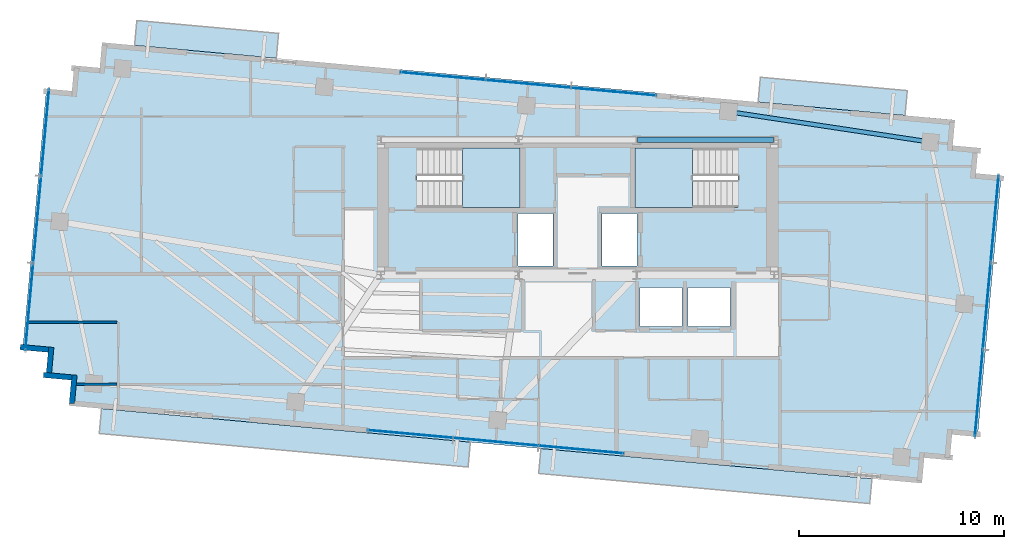
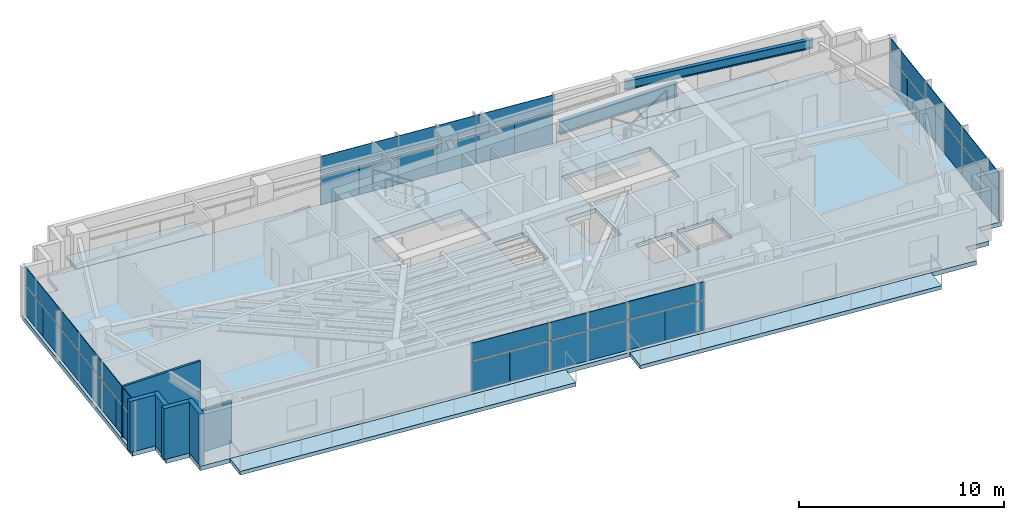
# One storey, part 15 of 22: 36 plates, 7 slabs, 6 walls, 2 beams, 6 elements without a shape of their own.
"""IFC4 building model written with IfcOpenShell, lengths in metres."""

from ifc_helpers import new_model, si_unit, direction, frame, frame_2d, origin, origin_2d, place, context, subcontext, project, spatial, polyline, rectangle, i_section, outline, extrude, source, transform, mapped, material, layer, layer_set, material_profile, profile_set, type_object, type_shapes, element, aggregate, save


model = new_model("IFC4")

# Units and contexts
model_context = context("Model", 3, precision=1e-05, world=origin(), true_north=direction((0.0, 1.0)))
body_context = subcontext(model_context, "Body", "Model", "MODEL_VIEW")
ifc_project = project(units=[si_unit("LENGTHUNIT", "METRE"), si_unit("AREAUNIT", "SQUARE_METRE"), si_unit("VOLUMEUNIT", "CUBIC_METRE"), si_unit("PLANEANGLEUNIT", "RADIAN"), si_unit("MASSUNIT", "GRAM", prefix="KILO")], contexts=[model_context])

# Site, building, storey
site_placement = place(None, origin())
site = spatial("IfcSite", under=ifc_project, at=site_placement, CompositionType="ELEMENT")
building_placement = place(site_placement, origin())
building = spatial("IfcBuilding", under=site, at=building_placement, Name="Astriad Promenade Condominiums", CompositionType="ELEMENT")
storey_placement = place(building_placement, frame((0.0, 0.0, 226.5)))
storey = spatial("IfcBuildingStorey", under=building, at=storey_placement, Name="L65", CompositionType="ELEMENT", Elevation=226.5)

# Beams
ifc_material_1 = material(Name="Steel ASTM A992 Grade 50", Category="steel")
ifc_material_profile_1 = material_profile(ifc_material_1, i_section(OverallWidth=0.267822265625, OverallDepth=0.76953125, WebThickness=0.015625, FlangeThickness=0.025390625, FilletRadius=0.021484375, at=origin_2d()), Name="W30X132")
ifc_profile_set_1 = profile_set([ifc_material_profile_1], Name="Steel ASTM A992 Grade 50")
beam_type_1 = type_object("IfcBeamType", Name="STEEL FLOOR GIRDER W30X132", PredefinedType="BEAM", material=ifc_profile_set_1)
shared_shape_1 = source(origin(), body_context, "Body", "SweptSolid", [
    extrude(i_section(OverallWidth=0.267822265625, OverallDepth=0.76953125, WebThickness=0.015625, FlangeThickness=0.025390625, FilletRadius=0.021484375, at=origin_2d()), origin(), (0.0, 0.0, 1.0), 6.64013671875),
])
type_shapes(beam_type_1, [shared_shape_1])
beam_1_placement = place(storey_placement, frame((38.919921875, 24.0, 2.6552734375), z_axis=(1.0, 0.0, 0.0), x_axis=(0.0, 1.0, 0.0)))
element("IfcBeam", 1, at=beam_1_placement, inside=storey, type_object=beam_type_1, Name="Core Ring Beam CG-N3-L65", PredefinedType="BEAM", context=body_context, shape_type="MappedRepresentation", body=[
    mapped(shared_shape_1, transform((0.0, 0.0, 0.0), scale=1.0)),
])
ifc_material_profile_2 = material_profile(ifc_material_1, i_section(OverallWidth=0.210693359375, OverallDepth=0.53955078125, WebThickness=0.01171875, FlangeThickness=0.018798828125, FilletRadius=0.0166015625, at=origin_2d()), Name="W21X73")
ifc_profile_set_2 = profile_set([ifc_material_profile_2], Name="Steel ASTM A992 Grade 50")
beam_type_2 = type_object("IfcBeamType", Name="STEEL SPANDREL BEAM W21X73", PredefinedType="SPANDREL", material=ifc_profile_set_2)
shared_shape_2 = source(origin(), body_context, "Body", "SweptSolid", [
    extrude(i_section(OverallWidth=0.210693359375, OverallDepth=0.53955078125, WebThickness=0.01171875, FlangeThickness=0.018798828125, FilletRadius=0.0166015625, at=origin_2d()), origin(), (0.0, 0.0, 1.0), 9.890869140625),
])
type_shapes(beam_type_2, [shared_shape_2])
beam_2_placement = place(storey_placement, frame((53.1787109375, 23.899658203125, 2.770263671875), z_axis=(-0.988827455442, 0.149064628143, 0.0), x_axis=(-0.149064628143, -0.988827455442, 0.0)))
element("IfcBeam", 2, at=beam_2_placement, inside=storey, type_object=beam_type_2, Name="Perimeter Spandrel Beam SP-N4-L65", PredefinedType="SPANDREL", context=body_context, shape_type="MappedRepresentation", body=[
    mapped(shared_shape_2, transform((0.0, 0.0, 0.0), scale=1.0)),
])

# Slab
ifc_material_2 = material(Name="Concrete C50/60", Category="concrete")
ifc_layer_1 = layer(ifc_material_2, 0.260009765625)
ifc_layer_set_1 = layer_set([ifc_layer_1], Name="Concrete C50/60")
slab_type_1 = type_object("IfcSlabType", Name="CONCRETE TOWER FLOOR SLAB 260", PredefinedType="FLOOR", material=ifc_layer_set_1)
slab_1_placement = place(storey_placement, frame((0.0, 0.0, -0.260009765625)))
element("IfcSlab", 3, at=slab_1_placement, inside=storey, type_object=slab_type_1, Name="Structural Floor Slab (L65)", PredefinedType="FLOOR", context=body_context, shape_type="SweptSolid", body=[
    extrude(outline(polyline([(11.179443359375, 11.03076171875), (52.807373046875, 7.242431640625), (52.920654296875, 8.4873046875), (54.16552734375, 8.3740234375), (54.27880859375, 9.618896484375), (55.523681640625, 9.505615234375), (56.68359375, 22.2529296875), (55.43896484375, 22.3662109375), (55.55224609375, 23.611083984375), (54.307373046875, 23.724365234375), (54.420654296875, 24.96923828125), (12.79248046875, 28.757568359375), (12.679443359375, 27.5126953125), (11.4345703125, 27.6259765625), (11.3212890625, 26.381103515625), (10.076416015625, 26.494384765625), (8.916259765625, 13.7470703125), (10.1611328125, 13.6337890625), (10.0478515625, 12.388916015625), (11.292724609375, 12.275634765625), (11.179443359375, 11.03076171875)]), holes=[polyline([(28.175048828125, 20.699951171875), (33.175048828125, 20.699951171875), (33.175048828125, 23.60009765625), (28.175048828125, 23.60009765625), (28.175048828125, 20.699951171875)]), polyline([(38.824951171875, 20.699951171875), (43.824951171875, 20.699951171875), (43.824951171875, 23.60009765625), (38.824951171875, 23.60009765625), (38.824951171875, 20.699951171875)]), polyline([(33.10009765625, 17.85009765625), (34.800048828125, 17.85009765625), (34.800048828125, 20.39990234375), (33.10009765625, 20.39990234375), (33.10009765625, 17.85009765625)]), polyline([(37.199951171875, 17.85009765625), (38.89990234375, 17.85009765625), (38.89990234375, 20.39990234375), (37.199951171875, 20.39990234375), (37.199951171875, 17.85009765625)]), polyline([(39.050048828125, 14.89990234375), (41.10009765625, 14.89990234375), (41.10009765625, 16.800048828125), (39.050048828125, 16.800048828125), (39.050048828125, 14.89990234375)]), polyline([(41.39990234375, 14.89990234375), (43.449951171875, 14.89990234375), (43.449951171875, 16.800048828125), (41.39990234375, 16.800048828125), (41.39990234375, 14.89990234375)])]), origin(), (0.0, 0.0, 1.0), 0.260009765625),
])

# Stair, slab
stair_type = type_object("IfcStairType", Name="STR-CORE-1350", PredefinedType="HALF_TURN_STAIR", material=ifc_material_2)
stair_1_placement = place(storey_placement, origin())
stair_1 = element("IfcStair", 4, at=stair_1_placement, inside=storey, type_object=stair_type, Name="L65 Enclosed Core Exit Stair ST-1", PredefinedType="HALF_TURN_STAIR")
ifc_layer_2 = layer(ifc_material_2, 0.219970703125)
ifc_layer_set_2 = layer_set([ifc_layer_2], Name="Concrete C50/60")
slab_type_2 = type_object("IfcSlabType", Name="SLB-LANDING-220", PredefinedType="LANDING", material=ifc_layer_set_2)
slab_2_placement = place(storey_placement, frame((0.0, 0.0, 1.449951171875)))
slab_2 = element("IfcSlab", 5, at=slab_2_placement, type_object=slab_type_2, Name="ST-1 landing 1", PredefinedType="LANDING", context=body_context, shape_type="SweptSolid", body=[
    extrude(outline(polyline([(30.389892578125, 20.699951171875), (33.199951171875, 20.699951171875), (33.199951171875, 23.60009765625), (30.389892578125, 23.60009765625), (30.389892578125, 20.699951171875)])), origin(), (0.0, 0.0, 1.0), 0.199951171875),
])
aggregate(stair_1, [slab_2])

stair_2_placement = place(storey_placement, origin())
stair_2 = element("IfcStair", 6, at=stair_2_placement, inside=storey, type_object=stair_type, Name="L65 Enclosed Core Exit Stair ST-2", PredefinedType="HALF_TURN_STAIR")
slab_3_placement = place(storey_placement, frame((0.0, 0.0, 1.449951171875)))
slab_3 = element("IfcSlab", 7, at=slab_3_placement, type_object=slab_type_2, Name="ST-2 landing 1", PredefinedType="LANDING", context=body_context, shape_type="SweptSolid", body=[
    extrude(outline(polyline([(41.610107421875, 23.60009765625), (38.800048828125, 23.60009765625), (38.800048828125, 20.699951171875), (41.610107421875, 20.699951171875), (41.610107421875, 23.60009765625)])), origin(), (0.0, 0.0, 1.0), 0.199951171875),
])
aggregate(stair_2, [slab_3])

# Slabs
ifc_material_3 = material(Name="Precast concrete C50/60", Category="concrete")
ifc_layer_3 = layer(ifc_material_3, 0.219970703125)
ifc_layer_set_3 = layer_set([ifc_layer_3], Name="Precast concrete C50/60")
slab_type_3 = type_object("IfcSlabType", Name="WHITE PRECAST CONCRETE WAVE BALCONY SLAB 220", PredefinedType="FLOOR", material=ifc_layer_set_3)
slab_4_placement = place(storey_placement, frame((0.0, 0.0, -0.219970703125)))
element("IfcSlab", 8, at=slab_4_placement, inside=storey, type_object=slab_type_3, Name="White Precast Wave Balcony Slab BAL-L65-SW", PredefinedType="FLOOR", context=body_context, shape_type="SweptSolid", body=[
    extrude(outline(polyline([(30.656005859375, 8.033203125), (12.6552734375, 9.67138671875), (12.765625, 10.884521484375), (30.76611328125, 9.246337890625), (30.656005859375, 8.033203125)])), origin(), (0.0, 0.0, 1.0), 0.219970703125),
])
slab_5_placement = place(storey_placement, frame((0.0, 0.0, -0.219970703125)))
element("IfcSlab", 9, at=slab_5_placement, inside=storey, type_object=slab_type_3, Name="White Precast Wave Balcony Slab BAL-L65-SE", PredefinedType="FLOOR", context=body_context, shape_type="SweptSolid", body=[
    extrude(outline(polyline([(50.2578125, 6.24951171875), (34.1005859375, 7.7197265625), (34.2109375, 8.932861328125), (50.3681640625, 7.46240234375), (50.2578125, 6.24951171875)])), origin(), (0.0, 0.0, 1.0), 0.219970703125),
])
slab_6_placement = place(storey_placement, frame((0.0, 0.0, -0.219970703125)))
element("IfcSlab", 10, at=slab_6_placement, inside=storey, type_object=slab_type_3, Name="White Precast Wave Balcony Slab BAL-L65-NW", PredefinedType="FLOOR", context=body_context, shape_type="SweptSolid", body=[
    extrude(outline(polyline([(14.48974609375, 29.828125), (21.408203125, 29.198486328125), (21.297607421875, 27.985595703125), (14.37939453125, 28.615234375), (14.48974609375, 29.828125)])), origin(), (0.0, 0.0, 1.0), 0.219970703125),
])
slab_7_placement = place(storey_placement, frame((0.0, 0.0, -0.219970703125)))
element("IfcSlab", 11, at=slab_7_placement, inside=storey, type_object=slab_type_3, Name="White Precast Wave Balcony Slab BAL-L65-NE", PredefinedType="FLOOR", context=body_context, shape_type="SweptSolid", body=[
    extrude(outline(polyline([(44.9208984375, 27.05859375), (52.09228515625, 26.406005859375), (51.98193359375, 25.193115234375), (44.810546875, 25.845703125), (44.9208984375, 27.05859375)])), origin(), (0.0, 0.0, 1.0), 0.219970703125),
])

# Curtain wall, plates
ifc_material_4 = material(Name="Anodised aluminium Black Dark Glass Unitised", Category="aluminium")
curtain_wall_type = type_object("IfcCurtainWallType", Name="CW-B5-DARK", PredefinedType="USERDEFINED", material=ifc_material_4)
curtain_wall_1_placement = place(storey_placement, origin())
curtain_wall_1 = element("IfcCurtainWall", 12, at=curtain_wall_1_placement, inside=storey, type_object=curtain_wall_type, Name="CW-L65-W", ObjectType="UNITISED_CURTAIN_WALL", PredefinedType="USERDEFINED")
ifc_material_5 = material(Name="Dark Tinted Low-E Laminated Glass", Category="glass")
ifc_layer_4 = layer(ifc_material_5, 0.035888671875)
ifc_layer_set_4 = layer_set([ifc_layer_4], Name="Dark Tinted Low-E Laminated Glass")
plate_type = type_object("IfcPlateType", Name="PNL-DARK-GLASS-36", PredefinedType="CURTAIN_PANEL", material=ifc_layer_set_4)
shared_shape_3 = source(origin(), body_context, "Body", "SweptSolid", [
    extrude(rectangle(XDim=2.121337890625, YDim=0.035888671875, at=origin_2d()), origin(), (0.0, 0.0, 1.0), 1.764892578125),
])
plate_1_placement = place(storey_placement, frame((9.142578125, 14.797607421875, 0.080078125), z_axis=(0.0, 0.0, 1.0), x_axis=(0.090632580198, 0.995884398616, 0.0)))
plate_1 = element("IfcPlate", 13, at=plate_1_placement, type_object=plate_type, Name="CW-L65-W-PNL-00-VL", PredefinedType="CURTAIN_PANEL", context=body_context, shape_type="MappedRepresentation", body=[
    mapped(shared_shape_3, transform((0.0, 0.0, 0.0), scale=1.0)),
])
plate_2_placement = place(storey_placement, frame((9.335693359375, 16.922119140625, 0.080078125), z_axis=(0.0, 0.0, 1.0), x_axis=(0.090632580198, 0.995884398616, 0.0)))
plate_2 = element("IfcPlate", 14, at=plate_2_placement, type_object=plate_type, Name="CW-L65-W-PNL-00-VR", PredefinedType="CURTAIN_PANEL", context=body_context, shape_type="MappedRepresentation", body=[
    mapped(shared_shape_3, transform((0.0, 0.0, 0.0), scale=1.0)),
])
plate_3_placement = place(storey_placement, frame((9.529296875, 19.046630859375, 0.080078125), z_axis=(0.0, 0.0, 1.0), x_axis=(0.090632580198, 0.995884398616, 0.0)))
plate_3 = element("IfcPlate", 15, at=plate_3_placement, type_object=plate_type, Name="CW-L65-W-PNL-01-VL", PredefinedType="CURTAIN_PANEL", context=body_context, shape_type="MappedRepresentation", body=[
    mapped(shared_shape_3, transform((0.0, 0.0, 0.0), scale=1.0)),
])
plate_4_placement = place(storey_placement, frame((9.722412109375, 21.17138671875, 0.080078125), z_axis=(0.0, 0.0, 1.0), x_axis=(0.090632580198, 0.995884398616, 0.0)))
plate_4 = element("IfcPlate", 16, at=plate_4_placement, type_object=plate_type, Name="CW-L65-W-PNL-01-VR", PredefinedType="CURTAIN_PANEL", context=body_context, shape_type="MappedRepresentation", body=[
    mapped(shared_shape_3, transform((0.0, 0.0, 0.0), scale=1.0)),
])
plate_5_placement = place(storey_placement, frame((9.916015625, 23.2958984375, 0.080078125), z_axis=(0.0, 0.0, 1.0), x_axis=(0.090632580198, 0.995884398616, 0.0)))
plate_5 = element("IfcPlate", 17, at=plate_5_placement, type_object=plate_type, Name="CW-L65-W-PNL-02-VL", PredefinedType="CURTAIN_PANEL", context=body_context, shape_type="MappedRepresentation", body=[
    mapped(shared_shape_3, transform((0.0, 0.0, 0.0), scale=1.0)),
])
plate_6_placement = place(storey_placement, frame((10.109130859375, 25.42041015625, 0.080078125), z_axis=(0.0, 0.0, 1.0), x_axis=(0.090632580198, 0.995884398616, 0.0)))
plate_6 = element("IfcPlate", 18, at=plate_6_placement, type_object=plate_type, Name="CW-L65-W-PNL-02-VR", PredefinedType="CURTAIN_PANEL", context=body_context, shape_type="MappedRepresentation", body=[
    mapped(shared_shape_3, transform((0.0, 0.0, 0.0), scale=1.0)),
])

curtain_wall_2_placement = place(storey_placement, origin())
curtain_wall_2 = element("IfcCurtainWall", 19, at=curtain_wall_2_placement, inside=storey, type_object=curtain_wall_type, Name="CW-L65-E", ObjectType="UNITISED_CURTAIN_WALL", PredefinedType="USERDEFINED")
plate_7_placement = place(storey_placement, frame((56.45751953125, 21.202392578125, 0.080078125), z_axis=(0.0, 0.0, 1.0), x_axis=(-0.090632580198, -0.995884398616, 0.0)))
plate_7 = element("IfcPlate", 20, at=plate_7_placement, type_object=plate_type, Name="CW-L65-E-PNL-00-VL", PredefinedType="CURTAIN_PANEL", context=body_context, shape_type="MappedRepresentation", body=[
    mapped(shared_shape_3, transform((0.0, 0.0, 0.0), scale=1.0)),
])
plate_8_placement = place(storey_placement, frame((56.26416015625, 19.077880859375, 0.080078125), z_axis=(0.0, 0.0, 1.0), x_axis=(-0.090632580198, -0.995884398616, 0.0)))
plate_8 = element("IfcPlate", 21, at=plate_8_placement, type_object=plate_type, Name="CW-L65-E-PNL-00-VR", PredefinedType="CURTAIN_PANEL", context=body_context, shape_type="MappedRepresentation", body=[
    mapped(shared_shape_3, transform((0.0, 0.0, 0.0), scale=1.0)),
])
plate_9_placement = place(storey_placement, frame((56.07080078125, 16.953369140625, 0.080078125), z_axis=(0.0, 0.0, 1.0), x_axis=(-0.090632580198, -0.995884398616, 0.0)))
plate_9 = element("IfcPlate", 22, at=plate_9_placement, type_object=plate_type, Name="CW-L65-E-PNL-01-VL", PredefinedType="CURTAIN_PANEL", context=body_context, shape_type="MappedRepresentation", body=[
    mapped(shared_shape_3, transform((0.0, 0.0, 0.0), scale=1.0)),
])
plate_10_placement = place(storey_placement, frame((55.87744140625, 14.82861328125, 0.080078125), z_axis=(0.0, 0.0, 1.0), x_axis=(-0.090632580198, -0.995884398616, 0.0)))
plate_10 = element("IfcPlate", 23, at=plate_10_placement, type_object=plate_type, Name="CW-L65-E-PNL-01-VR", PredefinedType="CURTAIN_PANEL", context=body_context, shape_type="MappedRepresentation", body=[
    mapped(shared_shape_3, transform((0.0, 0.0, 0.0), scale=1.0)),
])
plate_11_placement = place(storey_placement, frame((55.68408203125, 12.7041015625, 0.080078125), z_axis=(0.0, 0.0, 1.0), x_axis=(-0.090632580198, -0.995884398616, 0.0)))
plate_11 = element("IfcPlate", 24, at=plate_11_placement, type_object=plate_type, Name="CW-L65-E-PNL-02-VL", PredefinedType="CURTAIN_PANEL", context=body_context, shape_type="MappedRepresentation", body=[
    mapped(shared_shape_3, transform((0.0, 0.0, 0.0), scale=1.0)),
])
plate_12_placement = place(storey_placement, frame((55.49072265625, 10.57958984375, 0.080078125), z_axis=(0.0, 0.0, 1.0), x_axis=(-0.090632580198, -0.995884398616, 0.0)))
plate_12 = element("IfcPlate", 25, at=plate_12_placement, type_object=plate_type, Name="CW-L65-E-PNL-02-VR", PredefinedType="CURTAIN_PANEL", context=body_context, shape_type="MappedRepresentation", body=[
    mapped(shared_shape_3, transform((0.0, 0.0, 0.0), scale=1.0)),
])

# Plate
shared_shape_4 = source(origin(), body_context, "Body", "SweptSolid", [
    extrude(rectangle(XDim=4.254638671875, YDim=0.035888671875, at=origin_2d()), origin(), (0.0, 0.0, 1.0), 1.03515625),
])
plate_13_placement = place(storey_placement, frame((9.239013671875, 15.85986328125, 1.9248046875), z_axis=(0.0, 0.0, 1.0), x_axis=(0.090632580198, 0.995884398616, 0.0)))
plate_13 = element("IfcPlate", 26, at=plate_13_placement, type_object=plate_type, Name="CW-L65-W-PNL-00-S", PredefinedType="CURTAIN_PANEL", context=body_context, shape_type="MappedRepresentation", body=[
    mapped(shared_shape_4, transform((0.0, 0.0, 0.0), scale=1.0)),
])

plate_14_placement = place(storey_placement, frame((9.625732421875, 20.10888671875, 1.9248046875), z_axis=(0.0, 0.0, 1.0), x_axis=(0.090632580198, 0.995884398616, 0.0)))
plate_14 = element("IfcPlate", 27, at=plate_14_placement, type_object=plate_type, Name="CW-L65-W-PNL-01-S", PredefinedType="CURTAIN_PANEL", context=body_context, shape_type="MappedRepresentation", body=[
    mapped(shared_shape_4, transform((0.0, 0.0, 0.0), scale=1.0)),
])

plate_15_placement = place(storey_placement, frame((10.0126953125, 24.358154296875, 1.9248046875), z_axis=(0.0, 0.0, 1.0), x_axis=(0.090632580198, 0.995884398616, 0.0)))
plate_15 = element("IfcPlate", 28, at=plate_15_placement, type_object=plate_type, Name="CW-L65-W-PNL-02-S", PredefinedType="CURTAIN_PANEL", context=body_context, shape_type="MappedRepresentation", body=[
    mapped(shared_shape_4, transform((0.0, 0.0, 0.0), scale=1.0)),
])

aggregate(curtain_wall_1, [plate_1, plate_2, plate_13, plate_3, plate_4, plate_14, plate_5, plate_6, plate_15])

plate_16_placement = place(storey_placement, frame((56.36083984375, 20.14013671875, 1.9248046875), z_axis=(0.0, 0.0, 1.0), x_axis=(-0.090632580198, -0.995884398616, 0.0)))
plate_16 = element("IfcPlate", 29, at=plate_16_placement, type_object=plate_type, Name="CW-L65-E-PNL-00-S", PredefinedType="CURTAIN_PANEL", context=body_context, shape_type="MappedRepresentation", body=[
    mapped(shared_shape_4, transform((0.0, 0.0, 0.0), scale=1.0)),
])

plate_17_placement = place(storey_placement, frame((55.97412109375, 15.89111328125, 1.9248046875), z_axis=(0.0, 0.0, 1.0), x_axis=(-0.090632580198, -0.995884398616, 0.0)))
plate_17 = element("IfcPlate", 30, at=plate_17_placement, type_object=plate_type, Name="CW-L65-E-PNL-01-S", PredefinedType="CURTAIN_PANEL", context=body_context, shape_type="MappedRepresentation", body=[
    mapped(shared_shape_4, transform((0.0, 0.0, 0.0), scale=1.0)),
])

plate_18_placement = place(storey_placement, frame((55.58740234375, 11.641845703125, 1.9248046875), z_axis=(0.0, 0.0, 1.0), x_axis=(-0.090632580198, -0.995884398616, 0.0)))
plate_18 = element("IfcPlate", 31, at=plate_18_placement, type_object=plate_type, Name="CW-L65-E-PNL-02-S", PredefinedType="CURTAIN_PANEL", context=body_context, shape_type="MappedRepresentation", body=[
    mapped(shared_shape_4, transform((0.0, 0.0, 0.0), scale=1.0)),
])

aggregate(curtain_wall_2, [plate_7, plate_8, plate_16, plate_9, plate_10, plate_17, plate_11, plate_12, plate_18])

# Curtain wall, plates
curtain_wall_3_placement = place(storey_placement, origin())
curtain_wall_3 = element("IfcCurtainWall", 32, at=curtain_wall_3_placement, inside=storey, type_object=curtain_wall_type, Name="CW-L65-N", ObjectType="UNITISED_CURTAIN_WALL", PredefinedType="USERDEFINED")
shared_shape_5 = source(origin(), body_context, "Body", "SweptSolid", [
    extrude(rectangle(XDim=2.077880859375, YDim=0.035888671875, at=origin_2d()), origin(), (0.0, 0.0, 1.0), 1.764892578125),
])
plate_19_placement = place(storey_placement, frame((28.391357421875, 27.20751953125, 0.080078125), z_axis=(0.0, 0.0, 1.0), x_axis=(0.995884398616, -0.090632580198, 0.0)))
plate_19 = element("IfcPlate", 33, at=plate_19_placement, type_object=plate_type, Name="CW-L65-N-PNL-00-VL", PredefinedType="CURTAIN_PANEL", context=body_context, shape_type="MappedRepresentation", body=[
    mapped(shared_shape_5, transform((0.0, 0.0, 0.0), scale=1.0)),
])
plate_20_placement = place(storey_placement, frame((30.47265625, 27.01806640625, 0.080078125), z_axis=(0.0, 0.0, 1.0), x_axis=(0.995884398616, -0.090632580198, 0.0)))
plate_20 = element("IfcPlate", 34, at=plate_20_placement, type_object=plate_type, Name="CW-L65-N-PNL-00-VR", PredefinedType="CURTAIN_PANEL", context=body_context, shape_type="MappedRepresentation", body=[
    mapped(shared_shape_5, transform((0.0, 0.0, 0.0), scale=1.0)),
])
plate_21_placement = place(storey_placement, frame((32.55419921875, 26.82861328125, 0.080078125), z_axis=(0.0, 0.0, 1.0), x_axis=(0.995884398616, -0.090632580198, 0.0)))
plate_21 = element("IfcPlate", 35, at=plate_21_placement, type_object=plate_type, Name="CW-L65-N-PNL-01-VL", PredefinedType="CURTAIN_PANEL", context=body_context, shape_type="MappedRepresentation", body=[
    mapped(shared_shape_5, transform((0.0, 0.0, 0.0), scale=1.0)),
])
plate_22_placement = place(storey_placement, frame((34.635498046875, 26.63916015625, 0.080078125), z_axis=(0.0, 0.0, 1.0), x_axis=(0.995884398616, -0.090632580198, 0.0)))
plate_22 = element("IfcPlate", 36, at=plate_22_placement, type_object=plate_type, Name="CW-L65-N-PNL-01-VR", PredefinedType="CURTAIN_PANEL", context=body_context, shape_type="MappedRepresentation", body=[
    mapped(shared_shape_5, transform((0.0, 0.0, 0.0), scale=1.0)),
])
plate_23_placement = place(storey_placement, frame((36.716796875, 26.44970703125, 0.080078125), z_axis=(0.0, 0.0, 1.0), x_axis=(0.995884398616, -0.090632580198, 0.0)))
plate_23 = element("IfcPlate", 37, at=plate_23_placement, type_object=plate_type, Name="CW-L65-N-PNL-02-VL", PredefinedType="CURTAIN_PANEL", context=body_context, shape_type="MappedRepresentation", body=[
    mapped(shared_shape_5, transform((0.0, 0.0, 0.0), scale=1.0)),
])
plate_24_placement = place(storey_placement, frame((38.79833984375, 26.26025390625, 0.080078125), z_axis=(0.0, 0.0, 1.0), x_axis=(0.995884398616, -0.090632580198, 0.0)))
plate_24 = element("IfcPlate", 38, at=plate_24_placement, type_object=plate_type, Name="CW-L65-N-PNL-02-VR", PredefinedType="CURTAIN_PANEL", context=body_context, shape_type="MappedRepresentation", body=[
    mapped(shared_shape_5, transform((0.0, 0.0, 0.0), scale=1.0)),
])

curtain_wall_4_placement = place(storey_placement, origin())
curtain_wall_4 = element("IfcCurtainWall", 39, at=curtain_wall_4_placement, inside=storey, type_object=curtain_wall_type, Name="CW-L65-S", ObjectType="UNITISED_CURTAIN_WALL", PredefinedType="USERDEFINED")
plate_25_placement = place(storey_placement, frame((37.208740234375, 8.79248046875, 0.080078125), z_axis=(0.0, 0.0, 1.0), x_axis=(-0.995884398616, 0.090632580198, 0.0)))
plate_25 = element("IfcPlate", 40, at=plate_25_placement, type_object=plate_type, Name="CW-L65-S-PNL-00-VL", PredefinedType="CURTAIN_PANEL", context=body_context, shape_type="MappedRepresentation", body=[
    mapped(shared_shape_5, transform((0.0, 0.0, 0.0), scale=1.0)),
])
plate_26_placement = place(storey_placement, frame((35.127197265625, 8.98193359375, 0.080078125), z_axis=(0.0, 0.0, 1.0), x_axis=(-0.995884398616, 0.090632580198, 0.0)))
plate_26 = element("IfcPlate", 41, at=plate_26_placement, type_object=plate_type, Name="CW-L65-S-PNL-00-VR", PredefinedType="CURTAIN_PANEL", context=body_context, shape_type="MappedRepresentation", body=[
    mapped(shared_shape_5, transform((0.0, 0.0, 0.0), scale=1.0)),
])
plate_27_placement = place(storey_placement, frame((33.0458984375, 9.17138671875, 0.080078125), z_axis=(0.0, 0.0, 1.0), x_axis=(-0.995884398616, 0.090632580198, 0.0)))
plate_27 = element("IfcPlate", 42, at=plate_27_placement, type_object=plate_type, Name="CW-L65-S-PNL-01-VL", PredefinedType="CURTAIN_PANEL", context=body_context, shape_type="MappedRepresentation", body=[
    mapped(shared_shape_5, transform((0.0, 0.0, 0.0), scale=1.0)),
])
plate_28_placement = place(storey_placement, frame((30.964599609375, 9.36083984375, 0.080078125), z_axis=(0.0, 0.0, 1.0), x_axis=(-0.995884398616, 0.090632580198, 0.0)))
plate_28 = element("IfcPlate", 43, at=plate_28_placement, type_object=plate_type, Name="CW-L65-S-PNL-01-VR", PredefinedType="CURTAIN_PANEL", context=body_context, shape_type="MappedRepresentation", body=[
    mapped(shared_shape_5, transform((0.0, 0.0, 0.0), scale=1.0)),
])
plate_29_placement = place(storey_placement, frame((28.883056640625, 9.55029296875, 0.080078125), z_axis=(0.0, 0.0, 1.0), x_axis=(-0.995884398616, 0.090632580198, 0.0)))
plate_29 = element("IfcPlate", 44, at=plate_29_placement, type_object=plate_type, Name="CW-L65-S-PNL-02-VL", PredefinedType="CURTAIN_PANEL", context=body_context, shape_type="MappedRepresentation", body=[
    mapped(shared_shape_5, transform((0.0, 0.0, 0.0), scale=1.0)),
])
plate_30_placement = place(storey_placement, frame((26.8017578125, 9.73974609375, 0.080078125), z_axis=(0.0, 0.0, 1.0), x_axis=(-0.995884398616, 0.090632580198, 0.0)))
plate_30 = element("IfcPlate", 45, at=plate_30_placement, type_object=plate_type, Name="CW-L65-S-PNL-02-VR", PredefinedType="CURTAIN_PANEL", context=body_context, shape_type="MappedRepresentation", body=[
    mapped(shared_shape_5, transform((0.0, 0.0, 0.0), scale=1.0)),
])

# Plate
shared_shape_6 = source(origin(), body_context, "Body", "SweptSolid", [
    extrude(rectangle(XDim=4.16796875, YDim=0.035888671875, at=origin_2d()), origin(), (0.0, 0.0, 1.0), 1.03515625),
])
type_shapes(plate_type, [shared_shape_3, shared_shape_4, shared_shape_5, shared_shape_6])
plate_31_placement = place(storey_placement, frame((29.431884765625, 27.11279296875, 1.9248046875), z_axis=(0.0, 0.0, 1.0), x_axis=(0.995884398616, -0.090632580198, 0.0)))
plate_31 = element("IfcPlate", 46, at=plate_31_placement, type_object=plate_type, Name="CW-L65-N-PNL-00-S", PredefinedType="CURTAIN_PANEL", context=body_context, shape_type="MappedRepresentation", body=[
    mapped(shared_shape_6, transform((0.0, 0.0, 0.0), scale=1.0)),
])

plate_32_placement = place(storey_placement, frame((33.5947265625, 26.73388671875, 1.9248046875), z_axis=(0.0, 0.0, 1.0), x_axis=(0.995884398616, -0.090632580198, 0.0)))
plate_32 = element("IfcPlate", 47, at=plate_32_placement, type_object=plate_type, Name="CW-L65-N-PNL-01-S", PredefinedType="CURTAIN_PANEL", context=body_context, shape_type="MappedRepresentation", body=[
    mapped(shared_shape_6, transform((0.0, 0.0, 0.0), scale=1.0)),
])

plate_33_placement = place(storey_placement, frame((37.757568359375, 26.35498046875, 1.9248046875), z_axis=(0.0, 0.0, 1.0), x_axis=(0.995884398616, -0.090632580198, 0.0)))
plate_33 = element("IfcPlate", 48, at=plate_33_placement, type_object=plate_type, Name="CW-L65-N-PNL-02-S", PredefinedType="CURTAIN_PANEL", context=body_context, shape_type="MappedRepresentation", body=[
    mapped(shared_shape_6, transform((0.0, 0.0, 0.0), scale=1.0)),
])

aggregate(curtain_wall_3, [plate_19, plate_20, plate_31, plate_21, plate_22, plate_32, plate_23, plate_24, plate_33])

plate_34_placement = place(storey_placement, frame((36.16796875, 8.88720703125, 1.9248046875), z_axis=(0.0, 0.0, 1.0), x_axis=(-0.995884398616, 0.090632580198, 0.0)))
plate_34 = element("IfcPlate", 49, at=plate_34_placement, type_object=plate_type, Name="CW-L65-S-PNL-00-S", PredefinedType="CURTAIN_PANEL", context=body_context, shape_type="MappedRepresentation", body=[
    mapped(shared_shape_6, transform((0.0, 0.0, 0.0), scale=1.0)),
])

plate_35_placement = place(storey_placement, frame((32.005126953125, 9.26611328125, 1.9248046875), z_axis=(0.0, 0.0, 1.0), x_axis=(-0.995884398616, 0.090632580198, 0.0)))
plate_35 = element("IfcPlate", 50, at=plate_35_placement, type_object=plate_type, Name="CW-L65-S-PNL-01-S", PredefinedType="CURTAIN_PANEL", context=body_context, shape_type="MappedRepresentation", body=[
    mapped(shared_shape_6, transform((0.0, 0.0, 0.0), scale=1.0)),
])

plate_36_placement = place(storey_placement, frame((27.84228515625, 9.64501953125, 1.9248046875), z_axis=(0.0, 0.0, 1.0), x_axis=(-0.995884398616, 0.090632580198, 0.0)))
plate_36 = element("IfcPlate", 51, at=plate_36_placement, type_object=plate_type, Name="CW-L65-S-PNL-02-S", PredefinedType="CURTAIN_PANEL", context=body_context, shape_type="MappedRepresentation", body=[
    mapped(shared_shape_6, transform((0.0, 0.0, 0.0), scale=1.0)),
])

aggregate(curtain_wall_4, [plate_25, plate_26, plate_34, plate_27, plate_28, plate_35, plate_29, plate_30, plate_36])

# Walls
ifc_layer_5 = layer(ifc_material_3, 0.260009765625)
ifc_layer_set_5 = layer_set([ifc_layer_5], Name="Precast concrete C50/60")
wall_type_1 = type_object("IfcWallType", Name="WALL-EXT-TWR-260", PredefinedType="STANDARD", material=ifc_layer_set_5)
wall_1_placement = place(storey_placement, frame((11.3193359375, 12.40380859375, 0.0), z_axis=(0.0, 0.0, 1.0), x_axis=(-0.995881721538, 0.090661991521, 0.0)))
element("IfcWall", 52, at=wall_1_placement, inside=storey, type_object=wall_type_1, Name="W-SER-L65-00", PredefinedType="STANDARD", context=body_context, shape_type="SweptSolid", body=[
    extrude(rectangle(XDim=1.39501953125, YDim=0.260009765625, at=frame_2d((0.697509765625, 0.0))), origin(), (0.0, 0.0, 1.0), 3.0400390625),
])
wall_2_placement = place(storey_placement, frame((10.187744140625, 12.49169921875, 0.0), z_axis=(0.0, 0.0, 1.0), x_axis=(0.090646191665, 0.995883159782, 0.0)))
element("IfcWall", 53, at=wall_2_placement, inside=storey, type_object=wall_type_1, Name="W-SER-L65-01", PredefinedType="STANDARD", context=body_context, shape_type="SweptSolid", body=[
    extrude(rectangle(XDim=1.395263671875, YDim=0.260009765625, at=frame_2d((0.69775390625, 0.0))), origin(), (0.0, 0.0, 1.0), 3.0400390625),
])
for number, where, z_axis, x_axis, name in (
    (54, (10.187744140625, 13.761962890625, 0.0), (0.0, 0.0, 1.0), (-0.995881721538, 0.090661991521, 0.0), "W-SER-L65-02"),
    (55, (11.3193359375, 11.133544921875, 0.0), (0.0, 0.0, 1.0), (0.090661991521, 0.995881721538, 0.0), "W-SER-L65-19"),
):
    element("IfcWall", number, at=place(storey_placement, frame(where, z_axis=z_axis, x_axis=x_axis)), inside=storey, type_object=wall_type_1, Name=name, PredefinedType="STANDARD", context=body_context, shape_type="SweptSolid", body=[
        extrude(rectangle(XDim=1.39501953125, YDim=0.260009765625, at=frame_2d((0.697509765625, 0.0))), origin(), (0.0, 0.0, 1.0), 3.0400390625),
    ])
ifc_material_6 = material(Name="Acoustic Metal-Stud Gypsum Partition")
ifc_layer_6 = layer(ifc_material_6, 0.1201171875)
ifc_layer_set_6 = layer_set([ifc_layer_6], Name="Acoustic Metal-Stud Gypsum Partition")
wall_type_2 = type_object("IfcWallType", Name="WALL-PART-120", PredefinedType="PARTITIONING", material=ifc_layer_set_6)
wall_3_placement = place(storey_placement, frame((9.119873046875, 15.10009765625, 0.0), z_axis=(0.0, 0.0, 1.0), x_axis=(1.0, 0.0, 0.0)))
element("IfcWall", 56, at=wall_3_placement, inside=storey, type_object=wall_type_2, Name="PT-L65-W1-CAP1H", PredefinedType="PARTITIONING", context=body_context, shape_type="SweptSolid", body=[
    extrude(rectangle(XDim=4.399169921875, YDim=0.1201171875, at=frame_2d((2.19970703125, 0.0))), origin(), (0.0, 0.0, 1.0), 3.0400390625),
])
wall_4_placement = place(storey_placement, frame((11.537353515625, 12.072998046875, 0.0), z_axis=(0.0, 0.0, 1.0), x_axis=(1.0, 0.0, 0.0)))
element("IfcWall", 57, at=wall_4_placement, inside=storey, type_object=wall_type_2, Name="PT-L65-W1-CAPH2", PredefinedType="PARTITIONING", context=body_context, shape_type="SweptSolid", body=[
    extrude(rectangle(XDim=1.981689453125, YDim=0.1201171875, at=frame_2d((0.99072265625, 0.0))), origin(), (0.0, 0.0, 1.0), 2.482421875),
])

save(model, "model.ifc")
